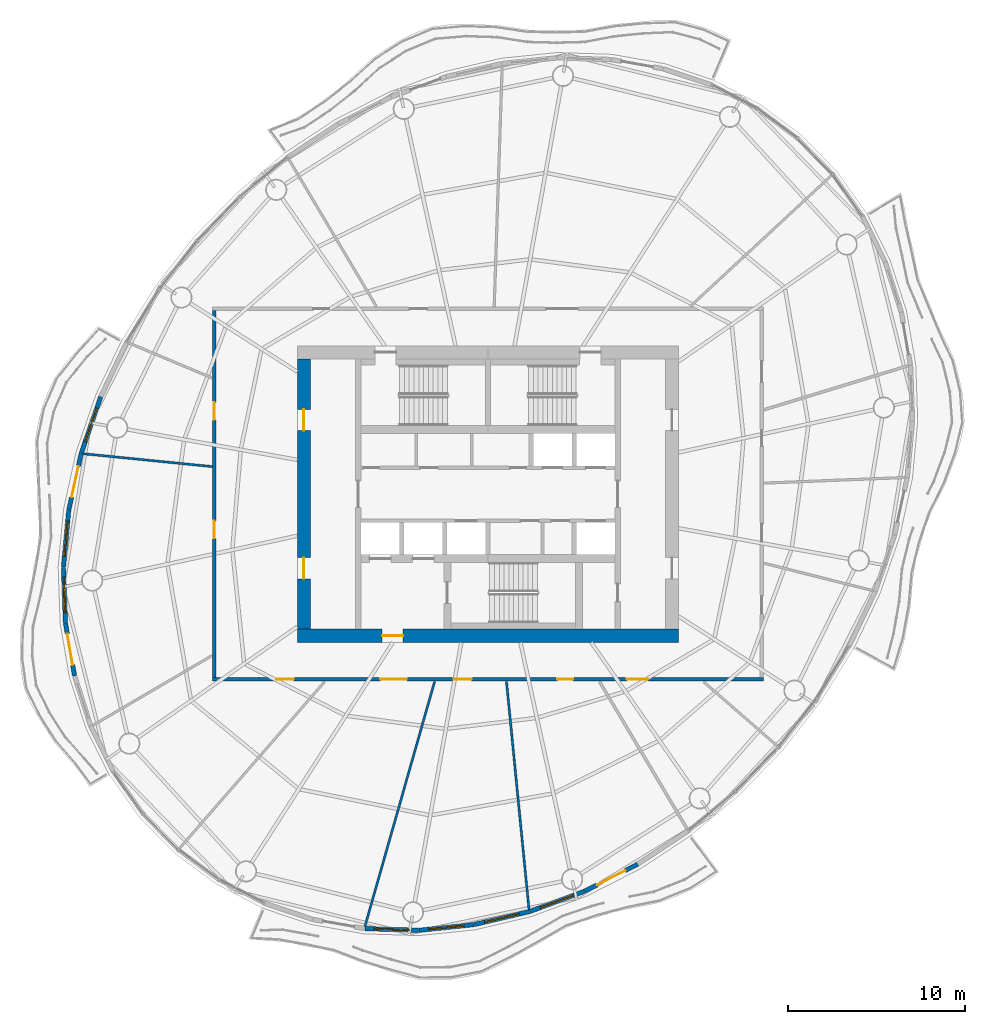
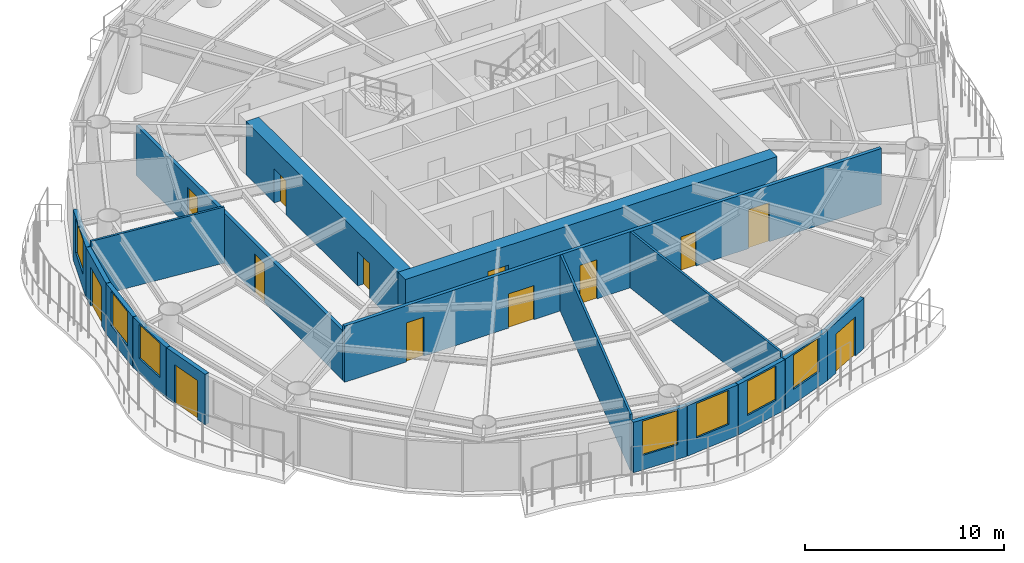
# One storey, part 8 of 14: 17 walls, 13 doors, 7 windows, 20 openings.
"""IFC4 building model written with IfcOpenShell, lengths in metres."""

from ifc_helpers import new_model, si_unit, direction, frame, frame_2d, origin, place, context, subcontext, project, spatial, rectangle, extrude, material, layer, layer_set, type_object, element, fill, save


model = new_model("IFC4")

# Units and contexts
model_context = context("Model", 3, precision=1e-05, world=origin(), true_north=direction((0.0, 1.0)))
body_context = subcontext(model_context, "Body", "Model", "MODEL_VIEW")
ifc_project = project(units=[si_unit("LENGTHUNIT", "METRE"), si_unit("AREAUNIT", "SQUARE_METRE"), si_unit("VOLUMEUNIT", "CUBIC_METRE"), si_unit("PLANEANGLEUNIT", "RADIAN"), si_unit("MASSUNIT", "GRAM", prefix="KILO")], contexts=[model_context])

# Site, building, storey
site_placement = place(None, origin())
site = spatial("IfcSite", under=ifc_project, at=site_placement, CompositionType="ELEMENT")
building_placement = place(site_placement, origin())
building = spatial("IfcBuilding", under=site, at=building_placement, Name="Vermilion Reach Broadcast Tower", CompositionType="ELEMENT")
storey_placement = place(building_placement, frame((0.0, 0.0, 228.10009765625)))
storey = spatial("IfcBuildingStorey", under=building, at=storey_placement, Name="L56", CompositionType="ELEMENT", Elevation=228.10009765625)

# Wall, opening, door
ifc_material_1 = material(Name="Concrete C60", Category="concrete")
ifc_layer_1 = layer(ifc_material_1, 0.75)
ifc_layer_set_1 = layer_set([ifc_layer_1], Name="Core outer wall 750 mm Concrete C60")
wall_type_1 = type_object("IfcWallType", Name="Core outer wall 750 mm Concrete C60", PredefinedType="SHEAR", material=ifc_layer_set_1)
wall_1_placement = place(storey_placement, frame((-16.800048828125, -8.02490234375, 0.0), z_axis=(0.0, 0.0, 1.0), x_axis=(1.0, 0.0, 0.0)))
wall_1 = element("IfcWall", 1, at=wall_1_placement, inside=storey, type_object=wall_type_1, Name="L56 core wall os", PredefinedType="SHEAR", context=body_context, shape_type="SweptSolid", body=[
    extrude(rectangle(XDim=21.60009765625, YDim=0.75, at=frame_2d((10.800048828125, 0.0))), origin(), (0.0, 0.0, 1.0), 3.2998046875),
])
opening_1_placement = place(wall_1_placement, frame((4.800048828125, 0.0, 0.0)))
opening_1 = element("IfcOpeningElement", 2, at=opening_1_placement, cuts=wall_1, Name="Opening D02", PredefinedType="OPENING", context=body_context, shape_type="SweptSolid", body=[
    extrude(rectangle(XDim=1.199951171875, YDim=2.10009765625, at=frame_2d((0.60009765625, 1.050048828125))), frame((0.0, 0.385009765625, 0.0), z_axis=(0.0, -1.0, 0.0), x_axis=(1.0, 0.0, 0.0)), (0.0, 0.0, 1.0), 0.77001953125),
])
ifc_material_2 = material(Name="Painted steel fire door", Category="steel")
door_type_1 = type_object("IfcDoorType", Name="Firefighting lobby door 1200 x 2100", OperationType="DOUBLE_DOOR_SINGLE_SWING", PredefinedType="NOTDEFINED", material=ifc_material_2)
door_1_placement = place(opening_1_placement, origin())
door_1 = element("IfcDoor", 3, at=door_1_placement, inside=storey, type_object=door_type_1, Name="L56 ffdoor door FFL", OperationType="DOUBLE_DOOR_SINGLE_SWING", OverallHeight=2.10009765625, OverallWidth=1.199951171875, PredefinedType="NOTDEFINED", context=body_context, shape_type="SweptSolid", body=[
    extrude(rectangle(XDim=1.199951171875, YDim=2.10009765625, at=frame_2d((0.60009765625, 1.050048828125))), frame((0.0, 0.02490234375, 0.0), z_axis=(0.0, -1.0, 0.0), x_axis=(1.0, 0.0, 0.0)), (0.0, 0.0, 1.0), 0.050048828125),
])
fill(opening_1, door_1)

# Wall, openings, doors
wall_2_placement = place(storey_placement, frame((-16.425048828125, 7.64990234375, 0.0), z_axis=(0.0, 0.0, 1.0), x_axis=(0.0, -1.0, 0.0)))
wall_2 = element("IfcWall", 4, at=wall_2_placement, inside=storey, type_object=wall_type_1, Name="L56 core wall ow", PredefinedType="SHEAR", context=body_context, shape_type="SweptSolid", body=[
    extrude(rectangle(XDim=15.2998046875, YDim=0.75, at=frame_2d((7.64990234375, 0.0))), origin(), (0.0, 0.0, 1.0), 3.2998046875),
])
opening_2_placement = place(wall_2_placement, frame((11.25, 0.0, 0.0)))
opening_2 = element("IfcOpeningElement", 5, at=opening_2_placement, cuts=wall_2, Name="Opening D03", PredefinedType="OPENING", context=body_context, shape_type="SweptSolid", body=[
    extrude(rectangle(XDim=1.199951171875, YDim=2.10009765625, at=frame_2d((0.60009765625, 1.050048828125))), frame((0.0, 0.385009765625, 0.0), z_axis=(0.0, -1.0, 0.0), x_axis=(1.0, 0.0, 0.0)), (0.0, 0.0, 1.0), 0.77001953125),
])
opening_3_placement = place(wall_2_placement, frame((2.85009765625, 0.0, 0.0)))
opening_3 = element("IfcOpeningElement", 6, at=opening_3_placement, cuts=wall_2, Name="Opening D03", PredefinedType="OPENING", context=body_context, shape_type="SweptSolid", body=[
    extrude(rectangle(XDim=1.199951171875, YDim=2.10009765625, at=frame_2d((0.60009765625, 1.050048828125))), frame((0.0, 0.385009765625, 0.0), z_axis=(0.0, -1.0, 0.0), x_axis=(1.0, 0.0, 0.0)), (0.0, 0.0, 1.0), 0.77001953125),
])
ifc_material_3 = material(Name="Painted steel fire door", Category="steel")
door_type_2 = type_object("IfcDoorType", Name="Core lobby door 1200 x 2100", OperationType="DOUBLE_DOOR_SINGLE_SWING", PredefinedType="NOTDEFINED", material=ifc_material_3)
door_2_placement = place(opening_2_placement, origin())
door_2 = element("IfcDoor", 7, at=door_2_placement, inside=storey, type_object=door_type_2, Name="L56 slot door W0", OperationType="DOUBLE_DOOR_SINGLE_SWING", OverallHeight=2.10009765625, OverallWidth=1.199951171875, PredefinedType="NOTDEFINED", context=body_context, shape_type="SweptSolid", body=[
    extrude(rectangle(XDim=1.199951171875, YDim=2.10009765625, at=frame_2d((0.60009765625, 1.050048828125))), frame((0.0, 0.02490234375, 0.0), z_axis=(0.0, -1.0, 0.0), x_axis=(1.0, 0.0, 0.0)), (0.0, 0.0, 1.0), 0.050048828125),
])
fill(opening_2, door_2)
door_3_placement = place(opening_3_placement, origin())
door_3 = element("IfcDoor", 8, at=door_3_placement, inside=storey, type_object=door_type_2, Name="L56 slot door W1", OperationType="DOUBLE_DOOR_SINGLE_SWING", OverallHeight=2.10009765625, OverallWidth=1.199951171875, PredefinedType="NOTDEFINED", context=body_context, shape_type="SweptSolid", body=[
    extrude(rectangle(XDim=1.199951171875, YDim=2.10009765625, at=frame_2d((0.60009765625, 1.050048828125))), frame((0.0, 0.02490234375, 0.0), z_axis=(0.0, -1.0, 0.0), x_axis=(1.0, 0.0, 0.0)), (0.0, 0.0, 1.0), 0.050048828125),
])
fill(opening_3, door_3)

ifc_material_4 = material(Name="Fire-rated gypsum board partition")
ifc_layer_2 = layer(ifc_material_4, 0.199951171875)
ifc_layer_set_2 = layer_set([ifc_layer_2], Name="Corridor wall 200 fire-rated")
wall_type_2 = type_object("IfcWallType", Name="Corridor wall 200 fire-rated", PredefinedType="PARTITIONING", material=ifc_layer_set_2)
wall_3_placement = place(storey_placement, frame((9.60009765625, -10.5, 0.0), z_axis=(0.0, 0.0, 1.0), x_axis=(-1.0, 0.0, 0.0)))
wall_3 = element("IfcWall", 9, at=wall_3_placement, inside=storey, type_object=wall_type_2, Name="Corridor wall 56.S", PredefinedType="PARTITIONING", context=body_context, shape_type="SweptSolid", body=[
    extrude(rectangle(XDim=31.2001953125, YDim=0.199951171875, at=frame_2d((15.60009765625, 0.0))), origin(), (0.0, 0.0, 1.0), 3.449951171875),
])
opening_4_placement = place(wall_3_placement, frame((26.604248046875, 0.0, 0.0)))
opening_4 = element("IfcOpeningElement", 10, at=opening_4_placement, cuts=wall_3, Name="Opening D23", PredefinedType="OPENING", context=body_context, shape_type="SweptSolid", body=[
    extrude(rectangle(XDim=1.0, YDim=2.39990234375, at=frame_2d((0.5, 1.199951171875))), frame((0.0, 0.10986328125, 0.0), z_axis=(0.0, -1.0, 0.0), x_axis=(1.0, 0.0, 0.0)), (0.0, 0.0, 1.0), 0.219970703125),
])
opening_5_placement = place(wall_3_placement, frame((20.194580078125, 0.0, 0.0)))
opening_5 = element("IfcOpeningElement", 11, at=opening_5_placement, cuts=wall_3, Name="Opening D24", PredefinedType="OPENING", context=body_context, shape_type="SweptSolid", body=[
    extrude(rectangle(XDim=1.5, YDim=2.10009765625, at=frame_2d((0.75, 1.050048828125))), frame((0.0, 0.10986328125, 0.0), z_axis=(0.0, -1.0, 0.0), x_axis=(1.0, 0.0, 0.0)), (0.0, 0.0, 1.0), 0.219970703125),
])
opening_6_placement = place(wall_3_placement, frame((16.5322265625, 0.0, 0.0)))
opening_6 = element("IfcOpeningElement", 12, at=opening_6_placement, cuts=wall_3, Name="Opening D23", PredefinedType="OPENING", context=body_context, shape_type="SweptSolid", body=[
    extrude(rectangle(XDim=1.0, YDim=2.39990234375, at=frame_2d((0.5, 1.199951171875))), frame((0.0, 0.10986328125, 0.0), z_axis=(0.0, -1.0, 0.0), x_axis=(1.0, 0.0, 0.0)), (0.0, 0.0, 1.0), 0.219970703125),
])
opening_7_placement = place(wall_3_placement, frame((10.7724609375, 0.0, 0.0)))
opening_7 = element("IfcOpeningElement", 13, at=opening_7_placement, cuts=wall_3, Name="Opening D22", PredefinedType="OPENING", context=body_context, shape_type="SweptSolid", body=[
    extrude(rectangle(XDim=0.89990234375, YDim=2.10009765625, at=frame_2d((0.449951171875, 1.050048828125))), frame((0.0, 0.10986328125, 0.0), z_axis=(0.0, -1.0, 0.0), x_axis=(1.0, 0.0, 0.0)), (0.0, 0.0, 1.0), 0.219970703125),
])
opening_8_placement = place(wall_3_placement, frame((6.52392578125, 0.0, 0.0)))
opening_8 = element("IfcOpeningElement", 14, at=opening_8_placement, cuts=wall_3, Name="Opening D29", PredefinedType="OPENING", context=body_context, shape_type="SweptSolid", body=[
    extrude(rectangle(XDim=1.199951171875, YDim=2.39990234375, at=frame_2d((0.60009765625, 1.199951171875))), frame((0.0, 0.10986328125, 0.0), z_axis=(0.0, -1.0, 0.0), x_axis=(1.0, 0.0, 0.0)), (0.0, 0.0, 1.0), 0.219970703125),
])
ifc_material_5 = material(Name="Timber door leaf", Category="wood")
door_type_3 = type_object("IfcDoorType", Name="Door pair 1500x2100", OperationType="NOTDEFINED", PredefinedType="DOOR", material=ifc_material_5)
door_4_placement = place(opening_5_placement, origin())
door_4 = element("IfcDoor", 15, at=door_4_placement, inside=storey, type_object=door_type_3, Name="Door 56.06", OperationType="DOUBLE_DOOR_SINGLE_SWING", OverallHeight=2.10009765625, OverallWidth=1.5, PredefinedType="DOOR", context=body_context, shape_type="SweptSolid", body=[
    extrude(rectangle(XDim=1.5, YDim=2.10009765625, at=frame_2d((0.75, 1.050048828125))), frame((0.0, 0.02490234375, 0.0), z_axis=(0.0, -1.0, 0.0), x_axis=(1.0, 0.0, 0.0)), (0.0, 0.0, 1.0), 0.050048828125),
])
fill(opening_5, door_4)
ifc_material_6 = material(Name="Veneered timber door leaf", Category="wood")
door_type_4 = type_object("IfcDoorType", Name="Door single 1000x2400", OperationType="NOTDEFINED", PredefinedType="DOOR", material=ifc_material_6)
door_5_placement = place(opening_4_placement, origin())
door_5 = element("IfcDoor", 16, at=door_5_placement, inside=storey, type_object=door_type_4, Name="Door 56.05", OperationType="SINGLE_SWING_LEFT", OverallHeight=2.39990234375, OverallWidth=1.0, PredefinedType="DOOR", context=body_context, shape_type="SweptSolid", body=[
    extrude(rectangle(XDim=1.0, YDim=2.39990234375, at=frame_2d((0.5, 1.199951171875))), frame((0.0, 0.02490234375, 0.0), z_axis=(0.0, -1.0, 0.0), x_axis=(1.0, 0.0, 0.0)), (0.0, 0.0, 1.0), 0.050048828125),
])
fill(opening_4, door_5)
door_6_placement = place(opening_6_placement, origin())
door_6 = element("IfcDoor", 17, at=door_6_placement, inside=storey, type_object=door_type_4, Name="Door 56.07", OperationType="SINGLE_SWING_RIGHT", OverallHeight=2.39990234375, OverallWidth=1.0, PredefinedType="DOOR", context=body_context, shape_type="SweptSolid", body=[
    extrude(rectangle(XDim=1.0, YDim=2.39990234375, at=frame_2d((0.5, 1.199951171875))), frame((0.0, 0.02490234375, 0.0), z_axis=(0.0, -1.0, 0.0), x_axis=(1.0, 0.0, 0.0)), (0.0, 0.0, 1.0), 0.050048828125),
])
fill(opening_6, door_6)
ifc_material_7 = material(Name="Veneered timber door leaf", Category="wood")
door_type_5 = type_object("IfcDoorType", Name="Door single 1200x2400", OperationType="NOTDEFINED", PredefinedType="DOOR", material=ifc_material_7)
door_7_placement = place(opening_8_placement, origin())
door_7 = element("IfcDoor", 18, at=door_7_placement, inside=storey, type_object=door_type_5, Name="Door 56.09", OperationType="SINGLE_SWING_RIGHT", OverallHeight=2.39990234375, OverallWidth=1.199951171875, PredefinedType="DOOR", context=body_context, shape_type="SweptSolid", body=[
    extrude(rectangle(XDim=1.199951171875, YDim=2.39990234375, at=frame_2d((0.60009765625, 1.199951171875))), frame((0.0, 0.02490234375, 0.0), z_axis=(0.0, -1.0, 0.0), x_axis=(1.0, 0.0, 0.0)), (0.0, 0.0, 1.0), 0.050048828125),
])
fill(opening_8, door_7)
ifc_material_8 = material(Name="Timber door leaf", Category="wood")
door_type_6 = type_object("IfcDoorType", Name="Door single 900x2100", OperationType="NOTDEFINED", PredefinedType="DOOR", material=ifc_material_8)
door_8_placement = place(opening_7_placement, origin())
door_8 = element("IfcDoor", 19, at=door_8_placement, inside=storey, type_object=door_type_6, Name="Door 56.08", OperationType="SINGLE_SWING_LEFT", OverallHeight=2.10009765625, OverallWidth=0.89990234375, PredefinedType="DOOR", context=body_context, shape_type="SweptSolid", body=[
    extrude(rectangle(XDim=0.89990234375, YDim=2.10009765625, at=frame_2d((0.449951171875, 1.050048828125))), frame((0.0, 0.02490234375, 0.0), z_axis=(0.0, -1.0, 0.0), x_axis=(1.0, 0.0, 0.0)), (0.0, 0.0, 1.0), 0.050048828125),
])
fill(opening_7, door_8)

# Walls
ifc_material_9 = material(Name="Fire-rated plasterboard on steel stud", Category="steel")
ifc_layer_3 = layer(ifc_material_9, 0.125)
ifc_layer_set_3 = layer_set([ifc_layer_3], Name="Partition 125 fire-rated stud")
wall_type_3 = type_object("IfcWallType", Name="Partition 125 fire-rated stud", PredefinedType="PARTITIONING", material=ifc_layer_set_3)
wall_4_placement = place(storey_placement, frame((-28.91796875, 2.284423828125, 0.0), z_axis=(0.0, 0.0, 1.0), x_axis=(0.995066424933, -0.099210936754, 0.0)))
element("IfcWall", 20, at=wall_4_placement, inside=storey, type_object=wall_type_3, Name="Partition 56.04", PredefinedType="PARTITIONING", context=body_context, shape_type="SweptSolid", body=[
    extrude(rectangle(XDim=7.347900390625, YDim=0.125, at=frame_2d((3.673828125, 0.0))), origin(), (0.0, 0.0, 1.0), 3.449951171875),
])
wall_5_placement = place(storey_placement, frame((-12.96875, -24.489013671875, 0.0), z_axis=(0.0, 0.0, 1.0), x_axis=(0.273703716184, 0.961814054663, 0.0)))
element("IfcWall", 21, at=wall_5_placement, inside=storey, type_object=wall_type_3, Name="Partition 56.07", PredefinedType="PARTITIONING", context=body_context, shape_type="SweptSolid", body=[
    extrude(rectangle(XDim=14.422607421875, YDim=0.125, at=frame_2d((7.21142578125, 0.0))), origin(), (0.0, 0.0, 1.0), 3.449951171875),
])
wall_6_placement = place(storey_placement, frame((-3.67431640625, -23.52685546875, 0.0), z_axis=(0.0, 0.0, 1.0), x_axis=(-0.098381018265, 0.995148820652, 0.0)))
element("IfcWall", 22, at=wall_6_placement, inside=storey, type_object=wall_type_3, Name="Partition 56.08", PredefinedType="PARTITIONING", context=body_context, shape_type="SweptSolid", body=[
    extrude(rectangle(XDim=12.983642578125, YDim=0.125, at=frame_2d((6.49169921875, 0.0))), origin(), (0.0, 0.0, 1.0), 3.449951171875),
])

# Wall, opening, window
ifc_material_10 = material(Name="Terracotta rainscreen cladding", Category="masonry")
ifc_layer_4 = layer(ifc_material_10, 0.25)
ifc_layer_set_4 = layer_set([ifc_layer_4], Name="Terracotta rainscreen wall 250")
wall_type_4 = type_object("IfcWallType", Name="Terracotta rainscreen wall 250", PredefinedType="SOLIDWALL", material=ifc_layer_set_4)
wall_7_placement = place(storey_placement, frame((-27.938232421875, 5.50634765625, 0.0), z_axis=(0.0, 0.0, 1.0), x_axis=(-0.326124986631, -0.945326659465, 0.0)))
wall_7 = element("IfcWall", 23, at=wall_7_placement, inside=storey, type_object=wall_type_4, Name="External wall L56 15", PredefinedType="SOLIDWALL", context=body_context, shape_type="SweptSolid", body=[
    extrude(rectangle(XDim=3.361328125, YDim=0.25, at=frame_2d((1.6806640625, 0.0))), origin(), (0.0, 0.0, 1.0), 3.099853515625),
])
opening_9_placement = place(wall_7_placement, frame((0.6806640625, 0.0, 0.89990234375)))
opening_9 = element("IfcOpeningElement", 24, at=opening_9_placement, cuts=wall_7, Name="Opening W03", PredefinedType="OPENING", context=body_context, shape_type="SweptSolid", body=[
    extrude(rectangle(XDim=2.0, YDim=2.10009765625, at=frame_2d((1.0, 1.050048828125))), frame((0.0, 0.135009765625, 0.0), z_axis=(0.0, -1.0, 0.0), x_axis=(1.0, 0.0, 0.0)), (0.0, 0.0, 1.0), 0.27001953125),
])
ifc_material_11 = material(Name="Low-e laminated clear glass in aluminium frame", Category="aluminium")
window_type = type_object("IfcWindowType", Name="Punched window 2000 x 2100 sill 900", PartitioningType="SINGLE_PANEL", PredefinedType="WINDOW", material=ifc_material_11)
window_1_placement = place(opening_9_placement, origin())
window_1 = element("IfcWindow", 25, at=window_1_placement, inside=storey, type_object=window_type, Name="Window L56 15", OverallHeight=2.10009765625, OverallWidth=2.0, PartitioningType="SINGLE_PANEL", PredefinedType="WINDOW", context=body_context, shape_type="SweptSolid", body=[
    extrude(rectangle(XDim=2.0, YDim=2.10009765625, at=frame_2d((1.0, 1.050048828125))), frame((0.0, 0.030029296875, 0.0), z_axis=(0.0, -1.0, 0.0), x_axis=(1.0, 0.0, 0.0)), (0.0, 0.0, 1.0), 0.06005859375),
])
fill(opening_9, window_1)

# Wall, opening, door
wall_8_placement = place(storey_placement, frame((-29.04052734375, 2.30712890625, 0.0), z_axis=(0.0, 0.0, 1.0), x_axis=(-0.213732278163, -0.976892273115, 0.0)))
wall_8 = element("IfcWall", 26, at=wall_8_placement, inside=storey, type_object=wall_type_4, Name="External wall L56 16", PredefinedType="SOLIDWALL", context=body_context, shape_type="SweptSolid", body=[
    extrude(rectangle(XDim=3.290771484375, YDim=0.25, at=frame_2d((1.6455078125, 0.0))), origin(), (0.0, 0.0, 1.0), 3.099853515625),
])
opening_10_placement = place(wall_8_placement, frame((0.7451171875, 0.0, 0.0)))
opening_10 = element("IfcOpeningElement", 27, at=opening_10_placement, cuts=wall_8, Name="Opening D70", PredefinedType="OPENING", context=body_context, shape_type="SweptSolid", body=[
    extrude(rectangle(XDim=1.800048828125, YDim=2.39990234375, at=frame_2d((0.89990234375, 1.199951171875))), frame((0.0, 0.135009765625, 0.0), z_axis=(0.0, -1.0, 0.0), x_axis=(1.0, 0.0, 0.0)), (0.0, 0.0, 1.0), 0.27001953125),
])
ifc_material_12 = material(Name="Low-e laminated clear glass in aluminium frame", Category="aluminium")
door_type_7 = type_object("IfcDoorType", Name="Balcony sliding door 1800 x 2400", OperationType="DOUBLE_DOOR_SLIDING", PredefinedType="DOOR", material=ifc_material_12)
door_9_placement = place(opening_10_placement, origin())
door_9 = element("IfcDoor", 28, at=door_9_placement, inside=storey, type_object=door_type_7, Name="Balcony door L56 run 04", OperationType="DOUBLE_DOOR_SLIDING", OverallHeight=2.39990234375, OverallWidth=1.800048828125, PredefinedType="DOOR", context=body_context, shape_type="SweptSolid", body=[
    extrude(rectangle(XDim=1.800048828125, YDim=2.39990234375, at=frame_2d((0.89990234375, 1.199951171875))), frame((0.0, 0.02490234375, 0.0), z_axis=(0.0, -1.0, 0.0), x_axis=(1.0, 0.0, 0.0)), (0.0, 0.0, 1.0), 0.050048828125),
])
fill(opening_10, door_9)

# Wall, opening, window
wall_9_placement = place(storey_placement, frame((-29.747314453125, -0.9306640625, 0.0), z_axis=(0.0, 0.0, 1.0), x_axis=(-0.093086270193, -0.995658046872, 0.0)))
wall_9 = element("IfcWall", 29, at=wall_9_placement, inside=storey, type_object=wall_type_4, Name="External wall L56 17", PredefinedType="SOLIDWALL", context=body_context, shape_type="SweptSolid", body=[
    extrude(rectangle(XDim=3.210205078125, YDim=0.25, at=frame_2d((1.60498046875, 0.0))), origin(), (0.0, 0.0, 1.0), 3.099853515625),
])
opening_11_placement = place(wall_9_placement, frame((0.60498046875, 0.0, 0.89990234375)))
opening_11 = element("IfcOpeningElement", 30, at=opening_11_placement, cuts=wall_9, Name="Opening W03", PredefinedType="OPENING", context=body_context, shape_type="SweptSolid", body=[
    extrude(rectangle(XDim=2.0, YDim=2.10009765625, at=frame_2d((1.0, 1.050048828125))), frame((0.0, 0.135009765625, 0.0), z_axis=(0.0, -1.0, 0.0), x_axis=(1.0, 0.0, 0.0)), (0.0, 0.0, 1.0), 0.27001953125),
])
window_2_placement = place(opening_11_placement, origin())
window_2 = element("IfcWindow", 31, at=window_2_placement, inside=storey, type_object=window_type, Name="Window L56 17", OverallHeight=2.10009765625, OverallWidth=2.0, PartitioningType="SINGLE_PANEL", PredefinedType="WINDOW", context=body_context, shape_type="SweptSolid", body=[
    extrude(rectangle(XDim=2.0, YDim=2.10009765625, at=frame_2d((1.0, 1.050048828125))), frame((0.0, 0.030029296875, 0.0), z_axis=(0.0, -1.0, 0.0), x_axis=(1.0, 0.0, 0.0)), (0.0, 0.0, 1.0), 0.06005859375),
])
fill(opening_11, window_2)

wall_10_placement = place(storey_placement, frame((-30.046630859375, -4.15087890625, 0.0), z_axis=(0.0, 0.0, 1.0), x_axis=(0.035161980599, -0.999381626367, 0.0)))
wall_10 = element("IfcWall", 32, at=wall_10_placement, inside=storey, type_object=wall_type_4, Name="External wall L56 18", PredefinedType="SOLIDWALL", context=body_context, shape_type="SweptSolid", body=[
    extrude(rectangle(XDim=3.12451171875, YDim=0.25, at=frame_2d((1.562255859375, 0.0))), origin(), (0.0, 0.0, 1.0), 3.099853515625),
])
opening_12_placement = place(wall_10_placement, frame((0.562255859375, 0.0, 0.89990234375)))
opening_12 = element("IfcOpeningElement", 33, at=opening_12_placement, cuts=wall_10, Name="Opening W03", PredefinedType="OPENING", context=body_context, shape_type="SweptSolid", body=[
    extrude(rectangle(XDim=2.0, YDim=2.10009765625, at=frame_2d((1.0, 1.050048828125))), frame((0.0, 0.135009765625, 0.0), z_axis=(0.0, -1.0, 0.0), x_axis=(1.0, 0.0, 0.0)), (0.0, 0.0, 1.0), 0.27001953125),
])
window_3_placement = place(opening_12_placement, origin())
window_3 = element("IfcWindow", 34, at=window_3_placement, inside=storey, type_object=window_type, Name="Window L56 18", OverallHeight=2.10009765625, OverallWidth=2.0, PartitioningType="SINGLE_PANEL", PredefinedType="WINDOW", context=body_context, shape_type="SweptSolid", body=[
    extrude(rectangle(XDim=2.0, YDim=2.10009765625, at=frame_2d((1.0, 1.050048828125))), frame((0.0, 0.030029296875, 0.0), z_axis=(0.0, -1.0, 0.0), x_axis=(1.0, 0.0, 0.0)), (0.0, 0.0, 1.0), 0.06005859375),
])
fill(opening_12, window_3)

# Wall, opening, door
wall_11_placement = place(storey_placement, frame((-29.934326171875, -7.29833984375, 0.0), z_axis=(0.0, 0.0, 1.0), x_axis=(0.169645994058, -0.985505066806, 0.0)))
wall_11 = element("IfcWall", 35, at=wall_11_placement, inside=storey, type_object=wall_type_4, Name="External wall L56 19", PredefinedType="SOLIDWALL", context=body_context, shape_type="SweptSolid", body=[
    extrude(rectangle(XDim=3.039306640625, YDim=0.25, at=frame_2d((1.51953125, 0.0))), origin(), (0.0, 0.0, 1.0), 3.099853515625),
])
opening_13_placement = place(wall_11_placement, frame((0.6201171875, 0.0, 0.0)))
opening_13 = element("IfcOpeningElement", 36, at=opening_13_placement, cuts=wall_11, Name="Opening D70", PredefinedType="OPENING", context=body_context, shape_type="SweptSolid", body=[
    extrude(rectangle(XDim=1.800048828125, YDim=2.39990234375, at=frame_2d((0.89990234375, 1.199951171875))), frame((0.0, 0.135009765625, 0.0), z_axis=(0.0, -1.0, 0.0), x_axis=(1.0, 0.0, 0.0)), (0.0, 0.0, 1.0), 0.27001953125),
])
door_10_placement = place(opening_13_placement, origin())
door_10 = element("IfcDoor", 37, at=door_10_placement, inside=storey, type_object=door_type_7, Name="Balcony door L56 run 05", OperationType="DOUBLE_DOOR_SLIDING", OverallHeight=2.39990234375, OverallWidth=1.800048828125, PredefinedType="DOOR", context=body_context, shape_type="SweptSolid", body=[
    extrude(rectangle(XDim=1.800048828125, YDim=2.39990234375, at=frame_2d((0.89990234375, 1.199951171875))), frame((0.0, 0.02490234375, 0.0), z_axis=(0.0, -1.0, 0.0), x_axis=(1.0, 0.0, 0.0)), (0.0, 0.0, 1.0), 0.050048828125),
])
fill(opening_13, door_10)

# Wall, opening, window
wall_12_placement = place(storey_placement, frame((-12.968505859375, -24.61376953125, 0.0), z_axis=(0.0, 0.0, 1.0), x_axis=(0.999483698552, -0.032129991113, 0.0)))
wall_12 = element("IfcWall", 38, at=wall_12_placement, inside=storey, type_object=wall_type_4, Name="External wall L56 28", PredefinedType="SOLIDWALL", context=body_context, shape_type="SweptSolid", body=[
    extrude(rectangle(XDim=3.039306640625, YDim=0.25, at=frame_2d((1.51953125, 0.0))), origin(), (0.0, 0.0, 1.0), 3.099853515625),
])
opening_14_placement = place(wall_12_placement, frame((0.519775390625, 0.0, 0.89990234375)))
opening_14 = element("IfcOpeningElement", 39, at=opening_14_placement, cuts=wall_12, Name="Opening W03", PredefinedType="OPENING", context=body_context, shape_type="SweptSolid", body=[
    extrude(rectangle(XDim=2.0, YDim=2.10009765625, at=frame_2d((1.0, 1.050048828125))), frame((0.0, 0.135009765625, 0.0), z_axis=(0.0, -1.0, 0.0), x_axis=(1.0, 0.0, 0.0)), (0.0, 0.0, 1.0), 0.27001953125),
])
window_4_placement = place(opening_14_placement, origin())
window_4 = element("IfcWindow", 40, at=window_4_placement, inside=storey, type_object=window_type, Name="Window L56 28", OverallHeight=2.10009765625, OverallWidth=2.0, PartitioningType="SINGLE_PANEL", PredefinedType="WINDOW", context=body_context, shape_type="SweptSolid", body=[
    extrude(rectangle(XDim=2.0, YDim=2.10009765625, at=frame_2d((1.0, 1.050048828125))), frame((0.0, 0.030029296875, 0.0), z_axis=(0.0, -1.0, 0.0), x_axis=(1.0, 0.0, 0.0)), (0.0, 0.0, 1.0), 0.06005859375),
])
fill(opening_14, window_4)

wall_13_placement = place(storey_placement, frame((-9.90576171875, -24.710693359375, 0.0), z_axis=(0.0, 0.0, 1.0), x_axis=(0.994698961738, 0.102829837679, 0.0)))
wall_13 = element("IfcWall", 41, at=wall_13_placement, inside=storey, type_object=wall_type_4, Name="External wall L56 29", PredefinedType="SOLIDWALL", context=body_context, shape_type="SweptSolid", body=[
    extrude(rectangle(XDim=3.12451171875, YDim=0.25, at=frame_2d((1.562255859375, 0.0))), origin(), (0.0, 0.0, 1.0), 3.099853515625),
])
opening_15_placement = place(wall_13_placement, frame((0.562255859375, 0.0, 0.89990234375)))
opening_15 = element("IfcOpeningElement", 42, at=opening_15_placement, cuts=wall_13, Name="Opening W03", PredefinedType="OPENING", context=body_context, shape_type="SweptSolid", body=[
    extrude(rectangle(XDim=2.0, YDim=2.10009765625, at=frame_2d((1.0, 1.050048828125))), frame((0.0, 0.135009765625, 0.0), z_axis=(0.0, -1.0, 0.0), x_axis=(1.0, 0.0, 0.0)), (0.0, 0.0, 1.0), 0.27001953125),
])
window_5_placement = place(opening_15_placement, origin())
window_5 = element("IfcWindow", 43, at=window_5_placement, inside=storey, type_object=window_type, Name="Window L56 29", OverallHeight=2.10009765625, OverallWidth=2.0, PartitioningType="SINGLE_PANEL", PredefinedType="WINDOW", context=body_context, shape_type="SweptSolid", body=[
    extrude(rectangle(XDim=2.0, YDim=2.10009765625, at=frame_2d((1.0, 1.050048828125))), frame((0.0, 0.030029296875, 0.0), z_axis=(0.0, -1.0, 0.0), x_axis=(1.0, 0.0, 0.0)), (0.0, 0.0, 1.0), 0.06005859375),
])
fill(opening_15, window_5)

wall_14_placement = place(storey_placement, frame((-6.774169921875, -24.38525390625, 0.0), z_axis=(0.0, 0.0, 1.0), x_axis=(0.973354292657, 0.229306391027, 0.0)))
wall_14 = element("IfcWall", 44, at=wall_14_placement, inside=storey, type_object=wall_type_4, Name="External wall L56 30", PredefinedType="SOLIDWALL", context=body_context, shape_type="SweptSolid", body=[
    extrude(rectangle(XDim=3.2099609375, YDim=0.25, at=frame_2d((1.60498046875, 0.0))), origin(), (0.0, 0.0, 1.0), 3.099853515625),
])
opening_16_placement = place(wall_14_placement, frame((0.60498046875, 0.0, 0.89990234375)))
opening_16 = element("IfcOpeningElement", 45, at=opening_16_placement, cuts=wall_14, Name="Opening W03", PredefinedType="OPENING", context=body_context, shape_type="SweptSolid", body=[
    extrude(rectangle(XDim=2.0, YDim=2.10009765625, at=frame_2d((1.0, 1.050048828125))), frame((0.0, 0.135009765625, 0.0), z_axis=(0.0, -1.0, 0.0), x_axis=(1.0, 0.0, 0.0)), (0.0, 0.0, 1.0), 0.27001953125),
])
window_6_placement = place(opening_16_placement, origin())
window_6 = element("IfcWindow", 46, at=window_6_placement, inside=storey, type_object=window_type, Name="Window L56 30", OverallHeight=2.10009765625, OverallWidth=2.0, PartitioningType="SINGLE_PANEL", PredefinedType="WINDOW", context=body_context, shape_type="SweptSolid", body=[
    extrude(rectangle(XDim=2.0, YDim=2.10009765625, at=frame_2d((1.0, 1.050048828125))), frame((0.0, 0.030029296875, 0.0), z_axis=(0.0, -1.0, 0.0), x_axis=(1.0, 0.0, 0.0)), (0.0, 0.0, 1.0), 0.06005859375),
])
fill(opening_16, window_6)

wall_15_placement = place(storey_placement, frame((-3.627197265625, -23.642333984375, 0.0), z_axis=(0.0, 0.0, 1.0), x_axis=(0.938142825337, 0.346248522408, 0.0)))
wall_15 = element("IfcWall", 47, at=wall_15_placement, inside=storey, type_object=wall_type_4, Name="External wall L56 31", PredefinedType="SOLIDWALL", context=body_context, shape_type="SweptSolid", body=[
    extrude(rectangle(XDim=3.290771484375, YDim=0.25, at=frame_2d((1.6455078125, 0.0))), origin(), (0.0, 0.0, 1.0), 3.099853515625),
])
opening_17_placement = place(wall_15_placement, frame((0.645263671875, 0.0, 0.89990234375)))
opening_17 = element("IfcOpeningElement", 48, at=opening_17_placement, cuts=wall_15, Name="Opening W03", PredefinedType="OPENING", context=body_context, shape_type="SweptSolid", body=[
    extrude(rectangle(XDim=2.0, YDim=2.10009765625, at=frame_2d((1.0, 1.050048828125))), frame((0.0, 0.135009765625, 0.0), z_axis=(0.0, -1.0, 0.0), x_axis=(1.0, 0.0, 0.0)), (0.0, 0.0, 1.0), 0.27001953125),
])
window_7_placement = place(opening_17_placement, origin())
window_7 = element("IfcWindow", 49, at=window_7_placement, inside=storey, type_object=window_type, Name="Window L56 31", OverallHeight=2.10009765625, OverallWidth=2.0, PartitioningType="SINGLE_PANEL", PredefinedType="WINDOW", context=body_context, shape_type="SweptSolid", body=[
    extrude(rectangle(XDim=2.0, YDim=2.10009765625, at=frame_2d((1.0, 1.050048828125))), frame((0.0, 0.030029296875, 0.0), z_axis=(0.0, -1.0, 0.0), x_axis=(1.0, 0.0, 0.0)), (0.0, 0.0, 1.0), 0.06005859375),
])
fill(opening_17, window_7)

# Wall, opening, door
wall_16_placement = place(storey_placement, frame((-0.51953125, -22.493896484375, 0.0), z_axis=(0.0, 0.0, 1.0), x_axis=(0.891355783228, 0.453304387478, 0.0)))
wall_16 = element("IfcWall", 50, at=wall_16_placement, inside=storey, type_object=wall_type_4, Name="External wall L56 32", PredefinedType="SOLIDWALL", context=body_context, shape_type="SweptSolid", body=[
    extrude(rectangle(XDim=3.361328125, YDim=0.25, at=frame_2d((1.6806640625, 0.0))), origin(), (0.0, 0.0, 1.0), 3.099853515625),
])
opening_18_placement = place(wall_16_placement, frame((0.781005859375, 0.0, 0.0)))
opening_18 = element("IfcOpeningElement", 51, at=opening_18_placement, cuts=wall_16, Name="Opening D70", PredefinedType="OPENING", context=body_context, shape_type="SweptSolid", body=[
    extrude(rectangle(XDim=1.800048828125, YDim=2.39990234375, at=frame_2d((0.89990234375, 1.199951171875))), frame((0.0, 0.135009765625, 0.0), z_axis=(0.0, -1.0, 0.0), x_axis=(1.0, 0.0, 0.0)), (0.0, 0.0, 1.0), 0.27001953125),
])
door_11_placement = place(opening_18_placement, origin())
door_11 = element("IfcDoor", 52, at=door_11_placement, inside=storey, type_object=door_type_7, Name="Balcony door L56 run 08", OperationType="DOUBLE_DOOR_SLIDING", OverallHeight=2.39990234375, OverallWidth=1.800048828125, PredefinedType="DOOR", context=body_context, shape_type="SweptSolid", body=[
    extrude(rectangle(XDim=1.800048828125, YDim=2.39990234375, at=frame_2d((0.89990234375, 1.199951171875))), frame((0.0, 0.02490234375, 0.0), z_axis=(0.0, -1.0, 0.0), x_axis=(1.0, 0.0, 0.0)), (0.0, 0.0, 1.0), 0.050048828125),
])
fill(opening_18, door_11)

# Wall, openings, doors
ifc_material_13 = material(Name="Fire-rated gypsum board partition")
ifc_layer_5 = layer(ifc_material_13, 0.199951171875)
ifc_layer_set_5 = layer_set([ifc_layer_5], Name="Under girder: Corridor wall 200 fire-rated")
wall_type_5 = type_object("IfcWallType", Name="Under girder: Corridor wall 200 fire-rated", PredefinedType="PARTITIONING", material=ifc_layer_set_5)
wall_17_placement = place(storey_placement, frame((-21.5, -10.39990234375, 0.0), z_axis=(0.0, 0.0, 1.0), x_axis=(0.0, 1.0, 0.0)))
wall_17 = element("IfcWall", 53, at=wall_17_placement, inside=storey, type_object=wall_type_5, Name="Corridor wall 56.W", PredefinedType="PARTITIONING", context=body_context, shape_type="SweptSolid", body=[
    extrude(rectangle(XDim=20.7998046875, YDim=0.199951171875, at=frame_2d((10.39990234375, 0.0))), origin(), (0.0, 0.0, 1.0), 3.0498046875),
])
opening_19_placement = place(wall_17_placement, frame((14.596923828125, 0.0, 0.0)))
opening_19 = element("IfcOpeningElement", 54, at=opening_19_placement, cuts=wall_17, Name="Opening D23", PredefinedType="OPENING", context=body_context, shape_type="SweptSolid", body=[
    extrude(rectangle(XDim=1.0, YDim=2.39990234375, at=frame_2d((0.5, 1.199951171875))), frame((0.0, 0.10986328125, 0.0), z_axis=(0.0, -1.0, 0.0), x_axis=(1.0, 0.0, 0.0)), (0.0, 0.0, 1.0), 0.219970703125),
])
opening_20_placement = place(wall_17_placement, frame((7.884033203125, 0.0, 0.0)))
opening_20 = element("IfcOpeningElement", 55, at=opening_20_placement, cuts=wall_17, Name="Opening D23", PredefinedType="OPENING", context=body_context, shape_type="SweptSolid", body=[
    extrude(rectangle(XDim=1.0, YDim=2.39990234375, at=frame_2d((0.5, 1.199951171875))), frame((0.0, 0.10986328125, 0.0), z_axis=(0.0, -1.0, 0.0), x_axis=(1.0, 0.0, 0.0)), (0.0, 0.0, 1.0), 0.219970703125),
])
door_12_placement = place(opening_19_placement, origin())
door_12 = element("IfcDoor", 56, at=door_12_placement, inside=storey, type_object=door_type_4, Name="Door 56.03", OperationType="SINGLE_SWING_RIGHT", OverallHeight=2.39990234375, OverallWidth=1.0, PredefinedType="DOOR", context=body_context, shape_type="SweptSolid", body=[
    extrude(rectangle(XDim=1.0, YDim=2.39990234375, at=frame_2d((0.5, 1.199951171875))), frame((0.0, 0.02490234375, 0.0), z_axis=(0.0, -1.0, 0.0), x_axis=(1.0, 0.0, 0.0)), (0.0, 0.0, 1.0), 0.050048828125),
])
fill(opening_19, door_12)
door_13_placement = place(opening_20_placement, origin())
door_13 = element("IfcDoor", 57, at=door_13_placement, inside=storey, type_object=door_type_4, Name="Door 56.04", OperationType="SINGLE_SWING_RIGHT", OverallHeight=2.39990234375, OverallWidth=1.0, PredefinedType="DOOR", context=body_context, shape_type="SweptSolid", body=[
    extrude(rectangle(XDim=1.0, YDim=2.39990234375, at=frame_2d((0.5, 1.199951171875))), frame((0.0, 0.02490234375, 0.0), z_axis=(0.0, -1.0, 0.0), x_axis=(1.0, 0.0, 0.0)), (0.0, 0.0, 1.0), 0.050048828125),
])
fill(opening_20, door_13)

save(model, "model.ifc")
